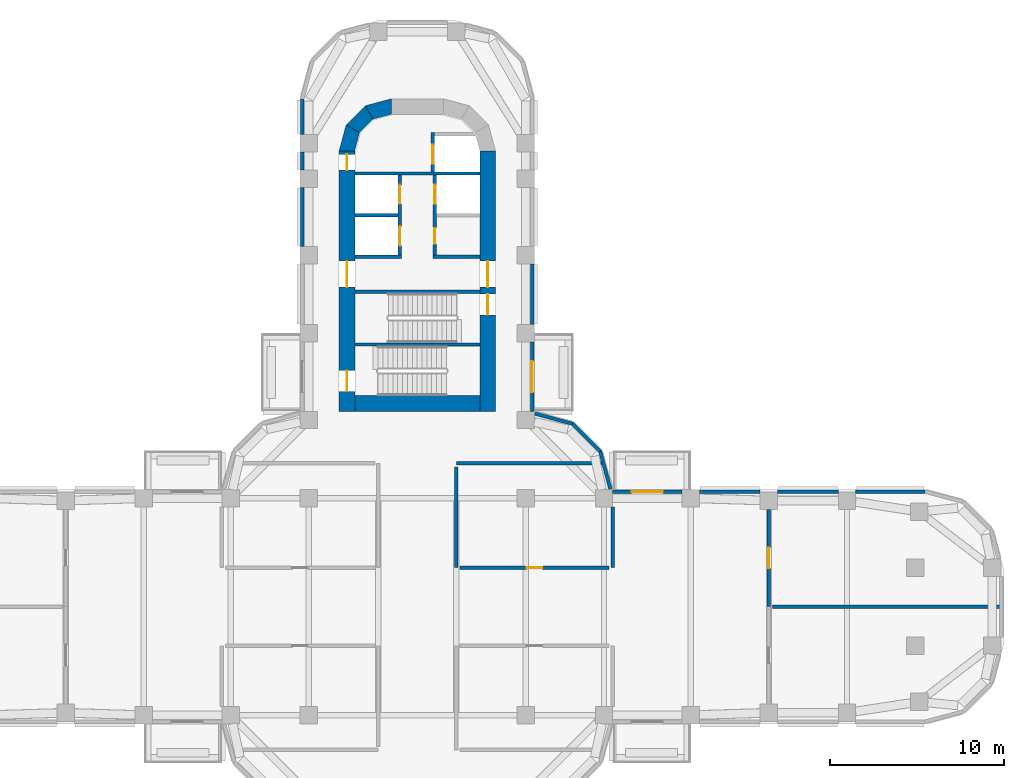
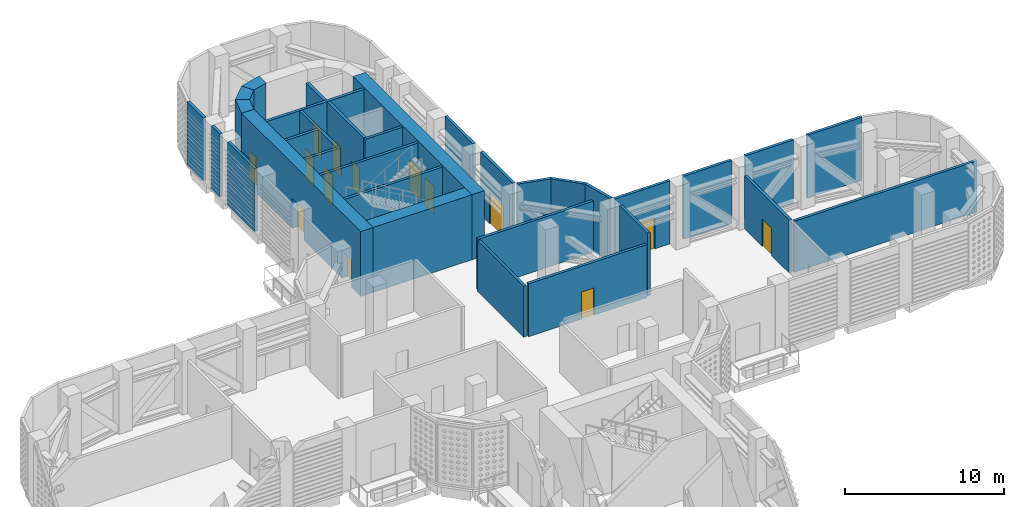
# One storey, part 7 of 20: 33 walls, 14 doors, 14 openings.
"""IFC4 building model written with IfcOpenShell, lengths in metres."""

from ifc_helpers import new_model, si_unit, direction, frame, frame_2d, origin, place, context, subcontext, project, spatial, polyline, rectangle, outline, extrude, material, layer, layer_set, type_object, element, fill, save


model = new_model("IFC4")

# Units and contexts
model_context = context("Model", 3, precision=1e-05, world=origin(), true_north=direction((0.0, 1.0)))
body_context = subcontext(model_context, "Body", "Model", "MODEL_VIEW")
ifc_project = project(units=[si_unit("LENGTHUNIT", "METRE"), si_unit("AREAUNIT", "SQUARE_METRE"), si_unit("VOLUMEUNIT", "CUBIC_METRE"), si_unit("PLANEANGLEUNIT", "RADIAN"), si_unit("MASSUNIT", "GRAM", prefix="KILO")], contexts=[model_context])

# Site, building, storey
site_placement = place(None, origin())
site = spatial("IfcSite", under=ifc_project, at=site_placement, CompositionType="ELEMENT")
building_placement = place(site_placement, origin())
building = spatial("IfcBuilding", under=site, at=building_placement, Name="Zarbagh Exchange Tower", CompositionType="ELEMENT")
storey_placement = place(building_placement, frame((0.0, 0.0, 81.60009765625)))
storey = spatial("IfcBuildingStorey", under=building, at=storey_placement, Name="L18", CompositionType="ELEMENT", Elevation=81.60009765625)

# Wall, opening, door
ifc_material_1 = material(Name="Concrete block partition", Category="concrete")
ifc_layer_1 = layer(ifc_material_1, 0.199951171875)
ifc_layer_set_1 = layer_set([ifc_layer_1], Name="Fire-rated block partition 200 EI 120")
wall_type_1 = type_object("IfcWallType", Name="Fire-rated block partition 200 EI 120", PredefinedType="PARTITIONING", material=ifc_layer_set_1)
wall_1_placement = place(storey_placement, frame((20.25, 0.0, 0.0), z_axis=(0.0, 0.0, 1.0), x_axis=(0.0, 1.0, 0.0)))
wall_1 = element("IfcWall", 1, at=wall_1_placement, inside=storey, type_object=wall_type_1, Name="WL-L18-W017", PredefinedType="PARTITIONING", context=body_context, shape_type="SweptSolid", body=[
    extrude(rectangle(XDim=5.610107421875, YDim=0.199951171875, at=frame_2d((2.80517578125, 0.0))), origin(), (0.0, 0.0, 1.0), 4.072998046875),
])
opening_1_placement = place(wall_1_placement, frame((2.205078125, 0.0, 0.0)))
opening_1 = element("IfcOpeningElement", 2, at=opening_1_placement, cuts=wall_1, Name="Opening D05", PredefinedType="OPENING", context=body_context, shape_type="SweptSolid", body=[
    extrude(rectangle(XDim=1.199951171875, YDim=2.10009765625, at=frame_2d((0.60009765625, 1.050048828125))), frame((0.0, 0.10986328125, 0.0), z_axis=(0.0, -1.0, 0.0), x_axis=(1.0, 0.0, 0.0)), (0.0, 0.0, 1.0), 0.219970703125),
])
ifc_material_2 = material(Name="Steel door set", Category="steel")
door_type_1 = type_object("IfcDoorType", Name="Door single 1200x2100 EI 120", OperationType="SINGLE_SWING_LEFT", PredefinedType="DOOR", material=ifc_material_2)
door_1_placement = place(opening_1_placement, origin())
door_1 = element("IfcDoor", 3, at=door_1_placement, inside=storey, type_object=door_type_1, Name="D05", OperationType="SINGLE_SWING_LEFT", OverallHeight=2.10009765625, OverallWidth=1.199951171875, PredefinedType="DOOR", context=body_context, shape_type="SweptSolid", body=[
    extrude(rectangle(XDim=1.199951171875, YDim=2.10009765625, at=frame_2d((0.60009765625, 1.050048828125))), frame((0.0, 0.02490234375, 0.0), z_axis=(0.0, -1.0, 0.0), x_axis=(1.0, 0.0, 0.0)), (0.0, 0.0, 1.0), 0.050048828125),
])
fill(opening_1, door_1)

# Walls
wall_2_placement = place(storey_placement, frame((33.75, 0.0, 0.0), z_axis=(0.0, 0.0, 1.0), x_axis=(-1.0, 0.0, 0.0)))
element("IfcWall", 4, at=wall_2_placement, inside=storey, type_object=wall_type_1, Name="WL-L18-W019", PredefinedType="PARTITIONING", context=body_context, shape_type="SweptSolid", body=[
    extrude(rectangle(XDim=13.300048828125, YDim=0.199951171875, at=frame_2d((6.64990234375, 0.0))), origin(), (0.0, 0.0, 1.0), 3.929931640625),
])
ifc_layer_2 = layer(ifc_material_1, 0.199951171875)
ifc_layer_set_2 = layer_set([ifc_layer_2], Name="Fire-rated block partition 200 EI 60")
wall_type_2 = type_object("IfcWallType", Name="Fire-rated block partition 200 EI 60", PredefinedType="PARTITIONING", material=ifc_layer_set_2)
wall_3_placement = place(storey_placement, frame((10.84814453125, 8.25, 0.0), z_axis=(0.0, 0.0, 1.0), x_axis=(-1.0, 0.0, 0.0)))
element("IfcWall", 5, at=wall_3_placement, inside=storey, type_object=wall_type_2, Name="WL-L18-W001", PredefinedType="PARTITIONING", context=body_context, shape_type="SweptSolid", body=[
    extrude(rectangle(XDim=8.59814453125, YDim=0.199951171875, at=frame_2d((4.299072265625, 0.0))), origin(), (0.0, 0.0, 1.0), 3.929931640625),
])
wall_4_placement = place(storey_placement, frame((2.25, 8.050048828125, 0.0), z_axis=(0.0, 0.0, 1.0), x_axis=(0.0, -1.0, 0.0)))
element("IfcWall", 6, at=wall_4_placement, inside=storey, type_object=wall_type_2, Name="WL-L18-W002", PredefinedType="PARTITIONING", context=body_context, shape_type="SweptSolid", body=[
    extrude(rectangle(XDim=5.800048828125, YDim=0.199951171875, at=frame_2d((2.89990234375, 0.0))), origin(), (0.0, 0.0, 1.0), 3.918212890625),
])
wall_5_placement = place(storey_placement, frame((11.25, 5.75, 0.0), z_axis=(0.0, 0.0, 1.0), x_axis=(0.0, -1.0, 0.0)))
element("IfcWall", 7, at=wall_5_placement, inside=storey, type_object=wall_type_2, Name="WL-L18-W009", PredefinedType="PARTITIONING", context=body_context, shape_type="SweptSolid", body=[
    extrude(rectangle(XDim=3.5, YDim=0.199951171875, at=frame_2d((1.75, 0.0))), origin(), (0.0, 0.0, 1.0), 4.849853515625),
])

# Wall, opening, door
wall_6_placement = place(storey_placement, frame((2.449951171875, 2.25, 0.0), z_axis=(0.0, 0.0, 1.0), x_axis=(1.0, 0.0, 0.0)))
wall_6 = element("IfcWall", 8, at=wall_6_placement, inside=storey, type_object=wall_type_2, Name="WL-L18-W010", PredefinedType="PARTITIONING", context=body_context, shape_type="SweptSolid", body=[
    extrude(rectangle(XDim=8.60009765625, YDim=0.199951171875, at=frame_2d((4.300048828125, 0.0))), origin(), (0.0, 0.0, 1.0), 4.072998046875),
])
opening_2_placement = place(wall_6_placement, frame((3.85009765625, 0.0, 0.0)))
opening_2 = element("IfcOpeningElement", 9, at=opening_2_placement, cuts=wall_6, Name="Opening D01", PredefinedType="OPENING", context=body_context, shape_type="SweptSolid", body=[
    extrude(rectangle(XDim=0.89990234375, YDim=2.10009765625, at=frame_2d((0.449951171875, 1.050048828125))), frame((0.0, 0.10986328125, 0.0), z_axis=(0.0, -1.0, 0.0), x_axis=(1.0, 0.0, 0.0)), (0.0, 0.0, 1.0), 0.219970703125),
])
door_type_2 = type_object("IfcDoorType", Name="Door single 900x2100 EI 60", OperationType="SINGLE_SWING_LEFT", PredefinedType="DOOR", material=ifc_material_2)
door_2_placement = place(opening_2_placement, origin())
door_2 = element("IfcDoor", 10, at=door_2_placement, inside=storey, type_object=door_type_2, Name="D01", OperationType="SINGLE_SWING_LEFT", OverallHeight=2.10009765625, OverallWidth=0.89990234375, PredefinedType="DOOR", context=body_context, shape_type="SweptSolid", body=[
    extrude(rectangle(XDim=0.89990234375, YDim=2.10009765625, at=frame_2d((0.449951171875, 1.050048828125))), frame((0.0, 0.02490234375, 0.0), z_axis=(0.0, -1.0, 0.0), x_axis=(1.0, 0.0, 0.0)), (0.0, 0.0, 1.0), 0.050048828125),
])
fill(opening_2, door_2)

# Walls
ifc_material_3 = material(Name="Precast concrete C50/60", Category="concrete")
ifc_layer_3 = layer(ifc_material_3, 0.199951171875)
ifc_layer_set_3 = layer_set([ifc_layer_3], Name="Plant wall, precast concrete C50/60")
wall_type_3 = type_object("IfcWallType", Name="Plant wall, precast concrete C50/60", PredefinedType="SOLIDWALL", material=ifc_layer_set_3)
wall_7_placement = place(storey_placement, origin())
element("IfcWall", 11, at=wall_7_placement, inside=storey, type_object=wall_type_3, Name="PW16 plant wall", PredefinedType="SOLIDWALL", context=body_context, shape_type="SweptSolid", body=[
    extrude(outline(polyline([(29.247314453125, 6.72998046875), (25.25, 6.72998046875), (25.25, 6.530029296875), (29.220947265625, 6.530029296875), (29.247314453125, 6.72998046875)])), origin(), (0.0, 0.0, 1.0), 4.849853515625),
])
wall_8_placement = place(storey_placement, origin())
element("IfcWall", 12, at=wall_8_placement, inside=storey, type_object=wall_type_3, Name="PW16 plant wall", PredefinedType="SOLIDWALL", context=body_context, shape_type="SweptSolid", body=[
    extrude(outline(polyline([(24.25, 6.72998046875), (20.75, 6.72998046875), (20.75, 6.530029296875), (24.25, 6.530029296875), (24.25, 6.72998046875)])), origin(), (0.0, 0.0, 1.0), 4.849853515625),
])
wall_9_placement = place(storey_placement, origin())
element("IfcWall", 13, at=wall_9_placement, inside=storey, type_object=wall_type_3, Name="PW16 plant wall", PredefinedType="SOLIDWALL", context=body_context, shape_type="SweptSolid", body=[
    extrude(outline(polyline([(19.75, 6.72998046875), (16.25, 6.72998046875), (16.25, 6.530029296875), (19.75, 6.530029296875), (19.75, 6.72998046875)])), origin(), (0.0, 0.0, 1.0), 4.849853515625),
])
wall_10_placement = place(storey_placement, origin())
element("IfcWall", 14, at=wall_10_placement, inside=storey, type_object=wall_type_3, Name="PW17 plant wall", PredefinedType="SOLIDWALL", context=body_context, shape_type="SweptSolid", body=[
    extrude(outline(polyline([(11.21533203125, 6.80224609375), (10.629150390625, 8.98974609375), (10.449951171875, 8.88623046875), (11.02197265625, 6.75048828125), (11.21533203125, 6.80224609375)])), origin(), (0.0, 0.0, 1.0), 4.849853515625),
])
wall_11_placement = place(storey_placement, origin())
element("IfcWall", 15, at=wall_11_placement, inside=storey, type_object=wall_type_3, Name="PW18 plant wall", PredefinedType="SOLIDWALL", context=body_context, shape_type="SweptSolid", body=[
    extrude(outline(polyline([(10.629150390625, 8.98974609375), (8.98974609375, 10.629150390625), (8.88623046875, 10.449951171875), (10.449951171875, 8.88623046875), (10.629150390625, 8.98974609375)])), origin(), (0.0, 0.0, 1.0), 4.849853515625),
])
wall_12_placement = place(storey_placement, origin())
element("IfcWall", 16, at=wall_12_placement, inside=storey, type_object=wall_type_3, Name="PW19 plant wall", PredefinedType="SOLIDWALL", context=body_context, shape_type="SweptSolid", body=[
    extrude(outline(polyline([(8.98974609375, 10.629150390625), (6.80224609375, 11.21533203125), (6.75048828125, 11.02197265625), (8.88623046875, 10.449951171875), (8.98974609375, 10.629150390625)])), origin(), (0.0, 0.0, 1.0), 4.849853515625),
])
wall_13_placement = place(storey_placement, origin())
element("IfcWall", 17, at=wall_13_placement, inside=storey, type_object=wall_type_3, Name="PW20 plant wall", PredefinedType="SOLIDWALL", context=body_context, shape_type="SweptSolid", body=[
    extrude(outline(polyline([(6.72998046875, 16.25), (6.72998046875, 19.75), (6.530029296875, 19.75), (6.530029296875, 16.25), (6.72998046875, 16.25)])), origin(), (0.0, 0.0, 1.0), 4.849853515625),
])
wall_14_placement = place(storey_placement, origin())
element("IfcWall", 18, at=wall_14_placement, inside=storey, type_object=wall_type_3, Name="PW28 plant wall", PredefinedType="SOLIDWALL", context=body_context, shape_type="SweptSolid", body=[
    extrude(outline(polyline([(-6.72998046875, 29.247314453125), (-6.72998046875, 27.199951171875), (-6.530029296875, 27.199951171875), (-6.530029296875, 29.220947265625), (-6.72998046875, 29.247314453125)])), origin(), (0.0, 0.0, 1.0), 4.849853515625),
])
wall_15_placement = place(storey_placement, origin())
element("IfcWall", 19, at=wall_15_placement, inside=storey, type_object=wall_type_3, Name="PW28 plant wall", PredefinedType="SOLIDWALL", context=body_context, shape_type="SweptSolid", body=[
    extrude(outline(polyline([(-6.72998046875, 26.199951171875), (-6.72998046875, 25.14990234375), (-6.530029296875, 25.14990234375), (-6.530029296875, 26.199951171875), (-6.72998046875, 26.199951171875)])), origin(), (0.0, 0.0, 1.0), 4.849853515625),
])
wall_16_placement = place(storey_placement, origin())
element("IfcWall", 20, at=wall_16_placement, inside=storey, type_object=wall_type_3, Name="PW28 plant wall", PredefinedType="SOLIDWALL", context=body_context, shape_type="SweptSolid", body=[
    extrude(outline(polyline([(-6.72998046875, 24.14990234375), (-6.72998046875, 20.75), (-6.530029296875, 20.75), (-6.530029296875, 24.14990234375), (-6.72998046875, 24.14990234375)])), origin(), (0.0, 0.0, 1.0), 4.849853515625),
])
ifc_material_4 = material(Name="Concrete C60/75", Category="concrete")
ifc_layer_4 = layer(ifc_material_4, 0.89990234375)
ifc_layer_set_4 = layer_set([ifc_layer_4], Name="RC core corner wall 900 C60/75")
wall_type_4 = type_object("IfcWallType", Name="RC core corner wall 900 C60/75", PredefinedType="SHEAR", material=ifc_layer_set_4)
wall_17_placement = place(storey_placement, origin())
element("IfcWall", 21, at=wall_17_placement, inside=storey, type_object=wall_type_4, Name="CW2 core N corner W", PredefinedType="SHEAR", context=body_context, shape_type="SweptSolid", body=[
    extrude(outline(polyline([(-4.5, 26.25), (-4.09814453125, 27.75), (-3.318603515625, 27.300048828125), (-3.60009765625, 26.25), (-4.5, 26.25)])), origin(), (0.0, 0.0, 1.0), 5.0),
])
wall_18_placement = place(storey_placement, origin())
element("IfcWall", 22, at=wall_18_placement, inside=storey, type_object=wall_type_4, Name="CW2 core N corner W", PredefinedType="SHEAR", context=body_context, shape_type="SweptSolid", body=[
    extrude(outline(polyline([(-4.09814453125, 27.75), (-3.0, 28.84814453125), (-2.550048828125, 28.068603515625), (-3.318603515625, 27.300048828125), (-4.09814453125, 27.75)])), origin(), (0.0, 0.0, 1.0), 5.0),
])
wall_19_placement = place(storey_placement, origin())
element("IfcWall", 23, at=wall_19_placement, inside=storey, type_object=wall_type_4, Name="CW2 core N corner W", PredefinedType="SHEAR", context=body_context, shape_type="SweptSolid", body=[
    extrude(outline(polyline([(-3.0, 28.84814453125), (-1.5, 29.25), (-1.5, 28.35009765625), (-2.550048828125, 28.068603515625), (-3.0, 28.84814453125)])), origin(), (0.0, 0.0, 1.0), 5.0),
])

# Wall, openings, doors
ifc_layer_5 = layer(ifc_material_4, 0.89990234375)
ifc_layer_set_5 = layer_set([ifc_layer_5], Name="RC core wall 900 C60/75")
wall_type_5 = type_object("IfcWallType", Name="RC core wall 900 C60/75", PredefinedType="SHEAR", material=ifc_layer_set_5)
wall_20_placement = place(storey_placement, frame((-4.050048828125, 11.25, 0.0), z_axis=(0.0, 0.0, 1.0), x_axis=(0.0, 1.0, 0.0)))
wall_20 = element("IfcWall", 24, at=wall_20_placement, inside=storey, type_object=wall_type_5, Name="CW1 core N W", PredefinedType="SHEAR", context=body_context, shape_type="SweptSolid", body=[
    extrude(rectangle(XDim=15.0, YDim=0.89990234375, at=frame_2d((7.5, 0.0))), origin(), (0.0, 0.0, 1.0), 5.0),
])
opening_3_placement = place(wall_20_placement, frame((7.14990234375, 0.0, 0.0)))
opening_3 = element("IfcOpeningElement", 25, at=opening_3_placement, cuts=wall_20, Name="Opening CD1-1500", PredefinedType="OPENING", context=body_context, shape_type="SweptSolid", body=[
    extrude(rectangle(XDim=1.5, YDim=2.300048828125, at=frame_2d((0.75, 1.14990234375))), frame((0.0, 0.4599609375, 0.0), z_axis=(0.0, -1.0, 0.0), x_axis=(1.0, 0.0, 0.0)), (0.0, 0.0, 1.0), 0.919921875),
])
opening_4_placement = place(wall_20_placement, frame((13.89990234375, 0.0, 0.0)))
opening_4 = element("IfcOpeningElement", 26, at=opening_4_placement, cuts=wall_20, Name="Opening CD2-900", PredefinedType="OPENING", context=body_context, shape_type="SweptSolid", body=[
    extrude(rectangle(XDim=0.89990234375, YDim=2.10009765625, at=frame_2d((0.449951171875, 1.050048828125))), frame((0.0, 0.4599609375, 0.0), z_axis=(0.0, -1.0, 0.0), x_axis=(1.0, 0.0, 0.0)), (0.0, 0.0, 1.0), 0.919921875),
])
opening_5_placement = place(wall_20_placement, frame((1.14990234375, 0.0, 0.0)))
opening_5 = element("IfcOpeningElement", 27, at=opening_5_placement, cuts=wall_20, Name="Opening SD1-1200", PredefinedType="OPENING", context=body_context, shape_type="SweptSolid", body=[
    extrude(rectangle(XDim=1.199951171875, YDim=2.10009765625, at=frame_2d((0.60009765625, 1.050048828125))), frame((0.0, 0.4599609375, 0.0), z_axis=(0.0, -1.0, 0.0), x_axis=(1.0, 0.0, 0.0)), (0.0, 0.0, 1.0), 0.919921875),
])
ifc_material_5 = material(Name="Steel", Category="steel")
door_type_3 = type_object("IfcDoorType", Name="Exit stair door 1200 x 2100", OperationType="NOTDEFINED", PredefinedType="DOOR", material=ifc_material_5)
door_3_placement = place(opening_5_placement, origin())
door_3 = element("IfcDoor", 28, at=door_3_placement, inside=storey, type_object=door_type_3, Name="North core stair door ST2", OperationType="SINGLE_SWING_RIGHT", OverallHeight=2.10009765625, OverallWidth=1.199951171875, PredefinedType="DOOR", context=body_context, shape_type="SweptSolid", body=[
    extrude(rectangle(XDim=1.199951171875, YDim=2.10009765625, at=frame_2d((0.60009765625, 1.050048828125))), frame((0.0, 0.02490234375, 0.0), z_axis=(0.0, -1.0, 0.0), x_axis=(1.0, 0.0, 0.0)), (0.0, 0.0, 1.0), 0.050048828125),
])
fill(opening_5, door_3)
door_type_4 = type_object("IfcDoorType", Name="Firefighting lobby door 900 x 2100", OperationType="NOTDEFINED", PredefinedType="DOOR", material=ifc_material_5)
door_4_placement = place(opening_4_placement, origin())
door_4 = element("IfcDoor", 29, at=door_4_placement, inside=storey, type_object=door_type_4, Name="North core firefighting lobby door FF-W", OperationType="SINGLE_SWING_LEFT", OverallHeight=2.10009765625, OverallWidth=0.89990234375, PredefinedType="DOOR", context=body_context, shape_type="SweptSolid", body=[
    extrude(rectangle(XDim=0.89990234375, YDim=2.10009765625, at=frame_2d((0.449951171875, 1.050048828125))), frame((0.0, 0.02490234375, 0.0), z_axis=(0.0, -1.0, 0.0), x_axis=(1.0, 0.0, 0.0)), (0.0, 0.0, 1.0), 0.050048828125),
])
fill(opening_4, door_4)
door_type_5 = type_object("IfcDoorType", Name="Lift lobby double door 1500 x 2300", OperationType="NOTDEFINED", PredefinedType="DOOR", material=ifc_material_5)
door_5_placement = place(opening_3_placement, origin())
door_5 = element("IfcDoor", 30, at=door_5_placement, inside=storey, type_object=door_type_5, Name="North core lift lobby door LOBBY-W", OperationType="DOUBLE_DOOR_SINGLE_SWING", OverallHeight=2.300048828125, OverallWidth=1.5, PredefinedType="DOOR", context=body_context, shape_type="SweptSolid", body=[
    extrude(rectangle(XDim=1.5, YDim=2.300048828125, at=frame_2d((0.75, 1.14990234375))), frame((0.0, 0.02490234375, 0.0), z_axis=(0.0, -1.0, 0.0), x_axis=(1.0, 0.0, 0.0)), (0.0, 0.0, 1.0), 0.050048828125),
])
fill(opening_3, door_5)

wall_21_placement = place(storey_placement, frame((4.050048828125, 11.25, 0.0), z_axis=(0.0, 0.0, 1.0), x_axis=(0.0, 1.0, 0.0)))
wall_21 = element("IfcWall", 31, at=wall_21_placement, inside=storey, type_object=wall_type_5, Name="CW1 core N E", PredefinedType="SHEAR", context=body_context, shape_type="SweptSolid", body=[
    extrude(rectangle(XDim=15.0, YDim=0.89990234375, at=frame_2d((7.5, 0.0))), origin(), (0.0, 0.0, 1.0), 5.0),
])
opening_6_placement = place(wall_21_placement, frame((7.14990234375, 0.0, 0.0)))
opening_6 = element("IfcOpeningElement", 32, at=opening_6_placement, cuts=wall_21, Name="Opening CD1-1500", PredefinedType="OPENING", context=body_context, shape_type="SweptSolid", body=[
    extrude(rectangle(XDim=1.5, YDim=2.300048828125, at=frame_2d((0.75, 1.14990234375))), frame((0.0, 0.4599609375, 0.0), z_axis=(0.0, -1.0, 0.0), x_axis=(1.0, 0.0, 0.0)), (0.0, 0.0, 1.0), 0.919921875),
])
opening_7_placement = place(wall_21_placement, frame((5.550048828125, 0.0, 0.0)))
opening_7 = element("IfcOpeningElement", 33, at=opening_7_placement, cuts=wall_21, Name="Opening SD1-1200", PredefinedType="OPENING", context=body_context, shape_type="SweptSolid", body=[
    extrude(rectangle(XDim=1.199951171875, YDim=2.10009765625, at=frame_2d((0.60009765625, 1.050048828125))), frame((0.0, 0.4599609375, 0.0), z_axis=(0.0, -1.0, 0.0), x_axis=(1.0, 0.0, 0.0)), (0.0, 0.0, 1.0), 0.919921875),
])
door_6_placement = place(opening_7_placement, origin())
door_6 = element("IfcDoor", 34, at=door_6_placement, inside=storey, type_object=door_type_3, Name="North core stair door ST1", OperationType="SINGLE_SWING_LEFT", OverallHeight=2.10009765625, OverallWidth=1.199951171875, PredefinedType="DOOR", context=body_context, shape_type="SweptSolid", body=[
    extrude(rectangle(XDim=1.199951171875, YDim=2.10009765625, at=frame_2d((0.60009765625, 1.050048828125))), frame((0.0, 0.02490234375, 0.0), z_axis=(0.0, -1.0, 0.0), x_axis=(1.0, 0.0, 0.0)), (0.0, 0.0, 1.0), 0.050048828125),
])
fill(opening_7, door_6)
door_7_placement = place(opening_6_placement, origin())
door_7 = element("IfcDoor", 35, at=door_7_placement, inside=storey, type_object=door_type_5, Name="North core lift lobby door LOBBY-E", OperationType="DOUBLE_DOOR_SINGLE_SWING", OverallHeight=2.300048828125, OverallWidth=1.5, PredefinedType="DOOR", context=body_context, shape_type="SweptSolid", body=[
    extrude(rectangle(XDim=1.5, YDim=2.300048828125, at=frame_2d((0.75, 1.14990234375))), frame((0.0, 0.02490234375, 0.0), z_axis=(0.0, -1.0, 0.0), x_axis=(1.0, 0.0, 0.0)), (0.0, 0.0, 1.0), 0.050048828125),
])
fill(opening_6, door_7)

# Walls
wall_22_placement = place(storey_placement, frame((-3.60009765625, 11.699951171875, 0.0), z_axis=(0.0, 0.0, 1.0), x_axis=(1.0, 0.0, 0.0)))
element("IfcWall", 36, at=wall_22_placement, inside=storey, type_object=wall_type_5, Name="CW1 core N inner end", PredefinedType="SHEAR", context=body_context, shape_type="SweptSolid", body=[
    extrude(rectangle(XDim=7.2001953125, YDim=0.89990234375, at=frame_2d((3.60009765625, 0.0))), origin(), (0.0, 0.0, 1.0), 5.0),
])
ifc_material_6 = material(Name="Dense blockwork", Category="masonry")
ifc_layer_6 = layer(ifc_material_6, 0.199951171875)
ifc_layer_set_6 = layer_set([ifc_layer_6], Name="Shaft wall 200 mm blockwork")
wall_type_6 = type_object("IfcWallType", Name="Shaft wall 200 mm blockwork", PredefinedType="PARTITIONING", material=ifc_layer_set_6)
wall_23_placement = place(storey_placement, frame((-3.60009765625, 20.14990234375, 0.0), z_axis=(0.0, 0.0, 1.0), x_axis=(1.0, 0.0, 0.0)))
element("IfcWall", 37, at=wall_23_placement, inside=storey, type_object=wall_type_6, Name="North core shaft wall AB-W", PredefinedType="PARTITIONING", context=body_context, shape_type="SweptSolid", body=[
    extrude(rectangle(XDim=2.7001953125, YDim=0.199951171875, at=frame_2d((1.35009765625, 0.0))), origin(), (0.0, 0.0, 1.0), 4.849853515625),
])

# Wall, openings, doors
wall_24_placement = place(storey_placement, frame((-1.0, 24.85009765625, 0.0), z_axis=(0.0, 0.0, 1.0), x_axis=(0.0, -1.0, 0.0)))
wall_24 = element("IfcWall", 38, at=wall_24_placement, inside=storey, type_object=wall_type_6, Name="North core shaft wall LW-W", PredefinedType="PARTITIONING", context=body_context, shape_type="SweptSolid", body=[
    extrude(rectangle(XDim=4.60009765625, YDim=0.199951171875, at=frame_2d((2.300048828125, 0.0))), origin(), (0.0, 0.0, 1.0), 4.849853515625),
])
opening_8_placement = place(wall_24_placement, frame((0.550048828125, 0.0, 0.0)))
opening_8 = element("IfcOpeningElement", 39, at=opening_8_placement, cuts=wall_24, Name="Opening LD-1100", PredefinedType="OPENING", context=body_context, shape_type="SweptSolid", body=[
    extrude(rectangle(XDim=1.10009765625, YDim=2.300048828125, at=frame_2d((0.550048828125, 1.14990234375))), frame((0.0, 0.10986328125, 0.0), z_axis=(0.0, -1.0, 0.0), x_axis=(1.0, 0.0, 0.0)), (0.0, 0.0, 1.0), 0.219970703125),
])
opening_9_placement = place(wall_24_placement, frame((2.949951171875, 0.0, 0.0)))
opening_9 = element("IfcOpeningElement", 40, at=opening_9_placement, cuts=wall_24, Name="Opening LD-1100", PredefinedType="OPENING", context=body_context, shape_type="SweptSolid", body=[
    extrude(rectangle(XDim=1.10009765625, YDim=2.300048828125, at=frame_2d((0.550048828125, 1.14990234375))), frame((0.0, 0.10986328125, 0.0), z_axis=(0.0, -1.0, 0.0), x_axis=(1.0, 0.0, 0.0)), (0.0, 0.0, 1.0), 0.219970703125),
])
ifc_material_7 = material(Name="Stainless steel", Category="steel")
door_type_6 = type_object("IfcDoorType", Name="Lift landing door 1100 x 2300", OperationType="NOTDEFINED", PredefinedType="DOOR", material=ifc_material_7)
door_8_placement = place(opening_8_placement, origin())
door_8 = element("IfcDoor", 41, at=door_8_placement, inside=storey, type_object=door_type_6, Name="North core lift landing door LD-P-N1", OperationType="DOUBLE_DOOR_SLIDING", OverallHeight=2.300048828125, OverallWidth=1.10009765625, PredefinedType="DOOR", context=body_context, shape_type="SweptSolid", body=[
    extrude(rectangle(XDim=1.10009765625, YDim=2.300048828125, at=frame_2d((0.550048828125, 1.14990234375))), frame((0.0, 0.02490234375, 0.0), z_axis=(0.0, -1.0, 0.0), x_axis=(1.0, 0.0, 0.0)), (0.0, 0.0, 1.0), 0.050048828125),
])
fill(opening_8, door_8)
door_9_placement = place(opening_9_placement, origin())
door_9 = element("IfcDoor", 42, at=door_9_placement, inside=storey, type_object=door_type_6, Name="North core lift landing door LD-P-N2", OperationType="DOUBLE_DOOR_SLIDING", OverallHeight=2.300048828125, OverallWidth=1.10009765625, PredefinedType="DOOR", context=body_context, shape_type="SweptSolid", body=[
    extrude(rectangle(XDim=1.10009765625, YDim=2.300048828125, at=frame_2d((0.550048828125, 1.14990234375))), frame((0.0, 0.02490234375, 0.0), z_axis=(0.0, -1.0, 0.0), x_axis=(1.0, 0.0, 0.0)), (0.0, 0.0, 1.0), 0.050048828125),
])
fill(opening_9, door_9)

# Wall
wall_25_placement = place(storey_placement, frame((0.89990234375, 20.14990234375, 0.0), z_axis=(0.0, 0.0, 1.0), x_axis=(1.0, 0.0, 0.0)))
element("IfcWall", 43, at=wall_25_placement, inside=storey, type_object=wall_type_6, Name="North core shaft wall AB-E", PredefinedType="PARTITIONING", context=body_context, shape_type="SweptSolid", body=[
    extrude(rectangle(XDim=2.7001953125, YDim=0.199951171875, at=frame_2d((1.35009765625, 0.0))), origin(), (0.0, 0.0, 1.0), 4.849853515625),
])

# Wall, openings, doors
wall_26_placement = place(storey_placement, frame((1.0, 24.85009765625, 0.0), z_axis=(0.0, 0.0, 1.0), x_axis=(0.0, -1.0, 0.0)))
wall_26 = element("IfcWall", 44, at=wall_26_placement, inside=storey, type_object=wall_type_6, Name="North core shaft wall LW-E", PredefinedType="PARTITIONING", context=body_context, shape_type="SweptSolid", body=[
    extrude(rectangle(XDim=4.60009765625, YDim=0.199951171875, at=frame_2d((2.300048828125, 0.0))), origin(), (0.0, 0.0, 1.0), 4.849853515625),
])
opening_10_placement = place(wall_26_placement, frame((0.550048828125, 0.0, 0.0)))
opening_10 = element("IfcOpeningElement", 45, at=opening_10_placement, cuts=wall_26, Name="Opening LD-1100", PredefinedType="OPENING", context=body_context, shape_type="SweptSolid", body=[
    extrude(rectangle(XDim=1.10009765625, YDim=2.300048828125, at=frame_2d((0.550048828125, 1.14990234375))), frame((0.0, 0.10986328125, 0.0), z_axis=(0.0, -1.0, 0.0), x_axis=(1.0, 0.0, 0.0)), (0.0, 0.0, 1.0), 0.219970703125),
])
opening_11_placement = place(wall_26_placement, frame((3.050048828125, 0.0, 0.0)))
opening_11 = element("IfcOpeningElement", 46, at=opening_11_placement, cuts=wall_26, Name="Opening CD3-900", PredefinedType="OPENING", context=body_context, shape_type="SweptSolid", body=[
    extrude(rectangle(XDim=0.89990234375, YDim=2.10009765625, at=frame_2d((0.449951171875, 1.050048828125))), frame((0.0, 0.10986328125, 0.0), z_axis=(0.0, -1.0, 0.0), x_axis=(1.0, 0.0, 0.0)), (0.0, 0.0, 1.0), 0.219970703125),
])
door_type_7 = type_object("IfcDoorType", Name="Core room door 900 x 2100", OperationType="NOTDEFINED", PredefinedType="DOOR", material=ifc_material_5)
door_10_placement = place(opening_11_placement, origin())
door_10 = element("IfcDoor", 47, at=door_10_placement, inside=storey, type_object=door_type_7, Name="North core Switch room door RD-E-0", OperationType="SINGLE_SWING_RIGHT", OverallHeight=2.10009765625, OverallWidth=0.89990234375, PredefinedType="DOOR", context=body_context, shape_type="SweptSolid", body=[
    extrude(rectangle(XDim=0.89990234375, YDim=2.10009765625, at=frame_2d((0.449951171875, 1.050048828125))), frame((0.0, 0.02490234375, 0.0), z_axis=(0.0, -1.0, 0.0), x_axis=(1.0, 0.0, 0.0)), (0.0, 0.0, 1.0), 0.050048828125),
])
fill(opening_11, door_10)
door_11_placement = place(opening_10_placement, origin())
door_11 = element("IfcDoor", 48, at=door_11_placement, inside=storey, type_object=door_type_6, Name="North core lift landing door LD-P-N3", OperationType="DOUBLE_DOOR_SLIDING", OverallHeight=2.300048828125, OverallWidth=1.10009765625, PredefinedType="DOOR", context=body_context, shape_type="SweptSolid", body=[
    extrude(rectangle(XDim=1.10009765625, YDim=2.300048828125, at=frame_2d((0.550048828125, 1.14990234375))), frame((0.0, 0.02490234375, 0.0), z_axis=(0.0, -1.0, 0.0), x_axis=(1.0, 0.0, 0.0)), (0.0, 0.0, 1.0), 0.050048828125),
])
fill(opening_10, door_11)

# Walls
wall_27_placement = place(storey_placement, frame((-3.60009765625, 22.550048828125, 0.0), z_axis=(0.0, 0.0, 1.0), x_axis=(1.0, 0.0, 0.0)))
element("IfcWall", 49, at=wall_27_placement, inside=storey, type_object=wall_type_6, Name="North core shaft wall TR-W", PredefinedType="PARTITIONING", context=body_context, shape_type="SweptSolid", body=[
    extrude(rectangle(XDim=2.5, YDim=0.199951171875, at=frame_2d((1.25, 0.0))), origin(), (0.0, 0.0, 1.0), 4.849853515625),
])
ifc_material_8 = material(Name="Concrete C40/50", Category="concrete")
ifc_layer_7 = layer(ifc_material_8, 0.199951171875)
ifc_layer_set_7 = layer_set([ifc_layer_7], Name="Stair enclosure wall 200 mm RC C40/50")
wall_type_7 = type_object("IfcWallType", Name="Stair enclosure wall 200 mm RC C40/50", PredefinedType="SHEAR", material=ifc_layer_set_7)
wall_28_placement = place(storey_placement, frame((-3.60009765625, 24.949951171875, 0.0), z_axis=(0.0, 0.0, 1.0), x_axis=(1.0, 0.0, 0.0)))
element("IfcWall", 50, at=wall_28_placement, inside=storey, type_object=wall_type_7, Name="North core lift shaft wall FFA", PredefinedType="SHEAR", context=body_context, shape_type="SweptSolid", body=[
    extrude(rectangle(XDim=7.2001953125, YDim=0.199951171875, at=frame_2d((3.60009765625, 0.0))), origin(), (0.0, 0.0, 1.0), 4.849853515625),
])

# Wall, opening, door
wall_29_placement = place(storey_placement, frame((0.89990234375, 27.300048828125, 0.0), z_axis=(0.0, 0.0, 1.0), x_axis=(0.0, -1.0, 0.0)))
wall_29 = element("IfcWall", 51, at=wall_29_placement, inside=storey, type_object=wall_type_7, Name="North core lift shaft wall FFL", PredefinedType="SHEAR", context=body_context, shape_type="SweptSolid", body=[
    extrude(rectangle(XDim=2.25, YDim=0.199951171875, at=frame_2d((1.125, 0.0))), origin(), (0.0, 0.0, 1.0), 4.849853515625),
])
opening_12_placement = place(wall_29_placement, frame((0.699951171875, 0.0, 0.0)))
opening_12 = element("IfcOpeningElement", 52, at=opening_12_placement, cuts=wall_29, Name="Opening LD-1100", PredefinedType="OPENING", context=body_context, shape_type="SweptSolid", body=[
    extrude(rectangle(XDim=1.10009765625, YDim=2.300048828125, at=frame_2d((0.550048828125, 1.14990234375))), frame((0.0, 0.10986328125, 0.0), z_axis=(0.0, -1.0, 0.0), x_axis=(1.0, 0.0, 0.0)), (0.0, 0.0, 1.0), 0.219970703125),
])
door_12_placement = place(opening_12_placement, origin())
door_12 = element("IfcDoor", 53, at=door_12_placement, inside=storey, type_object=door_type_6, Name="North core lift landing door LD-F", OperationType="DOUBLE_DOOR_SLIDING", OverallHeight=2.300048828125, OverallWidth=1.10009765625, PredefinedType="DOOR", context=body_context, shape_type="SweptSolid", body=[
    extrude(rectangle(XDim=1.10009765625, YDim=2.300048828125, at=frame_2d((0.550048828125, 1.14990234375))), frame((0.0, 0.02490234375, 0.0), z_axis=(0.0, -1.0, 0.0), x_axis=(1.0, 0.0, 0.0)), (0.0, 0.0, 1.0), 0.050048828125),
])
fill(opening_12, door_12)

# Walls
for number, where, z_axis, x_axis, name in (
    (54, (-3.60009765625, 18.14990234375, 0.0), (0.0, 0.0, 1.0), (1.0, 0.0, 0.0), "North core stair wall BS"),
    (55, (-3.60009765625, 15.10009765625, 0.0), (0.0, 0.0, 1.0), (1.0, 0.0, 0.0), "North core stair wall ST12"),
):
    element("IfcWall", number, at=place(storey_placement, frame(where, z_axis=z_axis, x_axis=x_axis)), inside=storey, type_object=wall_type_7, Name=name, PredefinedType="SHEAR", context=body_context, shape_type="SweptSolid", body=[
        extrude(rectangle(XDim=7.2001953125, YDim=0.199951171875, at=frame_2d((3.60009765625, 0.0))), origin(), (0.0, 0.0, 1.0), 4.849853515625),
    ])

# Wall, opening, door
ifc_layer_8 = layer(ifc_material_3, 0.199951171875)
ifc_layer_set_8 = layer_set([ifc_layer_8], Name="Terrace door wall, precast concrete C50/60")
wall_type_8 = type_object("IfcWallType", Name="Terrace door wall, precast concrete C50/60", PredefinedType="SOLIDWALL", material=ifc_layer_set_8)
wall_30_placement = place(storey_placement, frame((15.25, 6.6298828125, 0.0), z_axis=(0.0, 0.0, 1.0), x_axis=(-1.0, 0.0, 0.0)))
wall_30 = element("IfcWall", 56, at=wall_30_placement, inside=storey, type_object=wall_type_8, Name="TW36 door wall", PredefinedType="SOLIDWALL", context=body_context, shape_type="SweptSolid", body=[
    extrude(rectangle(XDim=4.0, YDim=0.199951171875, at=frame_2d((2.0, 0.0))), origin(), (0.0, 0.0, 1.0), 4.849853515625),
])
opening_13_placement = place(wall_30_placement, frame((1.10009765625, 0.0, 0.0)))
opening_13 = element("IfcOpeningElement", 57, at=opening_13_placement, cuts=wall_30, Name="Opening TD02", PredefinedType="OPENING", context=body_context, shape_type="SweptSolid", body=[
    extrude(rectangle(XDim=1.800048828125, YDim=2.39990234375, at=frame_2d((0.89990234375, 1.199951171875))), frame((0.0, 0.10986328125, 0.0), z_axis=(0.0, -1.0, 0.0), x_axis=(1.0, 0.0, 0.0)), (0.0, 0.0, 1.0), 0.219970703125),
])
ifc_material_9 = material(Name="Anodised aluminium and glass", Category="aluminium")
door_type_8 = type_object("IfcDoorType", Name="Terrace door, double leaf, aluminium and glass", OperationType="DOUBLE_DOOR_DOUBLE_SWING", PredefinedType="DOOR", material=ifc_material_9)
door_13_placement = place(opening_13_placement, origin())
door_13 = element("IfcDoor", 58, at=door_13_placement, inside=storey, type_object=door_type_8, Name="TD02 terrace door", OperationType="SINGLE_SWING_LEFT", OverallHeight=2.39990234375, OverallWidth=1.800048828125, PredefinedType="DOOR", context=body_context, shape_type="SweptSolid", body=[
    extrude(rectangle(XDim=1.800048828125, YDim=2.39990234375, at=frame_2d((0.89990234375, 1.199951171875))), frame((0.0, 0.02490234375, 0.0), z_axis=(0.0, -1.0, 0.0), x_axis=(1.0, 0.0, 0.0)), (0.0, 0.0, 1.0), 0.050048828125),
])
fill(opening_13, door_13)

wall_31_placement = place(storey_placement, frame((6.6298828125, 11.25, 0.0), z_axis=(0.0, 0.0, 1.0), x_axis=(0.0, 1.0, 0.0)))
wall_31 = element("IfcWall", 59, at=wall_31_placement, inside=storey, type_object=wall_type_8, Name="TW37 door wall", PredefinedType="SOLIDWALL", context=body_context, shape_type="SweptSolid", body=[
    extrude(rectangle(XDim=4.0, YDim=0.199951171875, at=frame_2d((2.0, 0.0))), origin(), (0.0, 0.0, 1.0), 4.849853515625),
])
opening_14_placement = place(wall_31_placement, frame((1.10009765625, 0.0, 0.0)))
opening_14 = element("IfcOpeningElement", 60, at=opening_14_placement, cuts=wall_31, Name="Opening TD02", PredefinedType="OPENING", context=body_context, shape_type="SweptSolid", body=[
    extrude(rectangle(XDim=1.800048828125, YDim=2.39990234375, at=frame_2d((0.89990234375, 1.199951171875))), frame((0.0, 0.10986328125, 0.0), z_axis=(0.0, -1.0, 0.0), x_axis=(1.0, 0.0, 0.0)), (0.0, 0.0, 1.0), 0.219970703125),
])
door_14_placement = place(opening_14_placement, origin())
door_14 = element("IfcDoor", 61, at=door_14_placement, inside=storey, type_object=door_type_8, Name="TD02 terrace door", OperationType="SINGLE_SWING_LEFT", OverallHeight=2.39990234375, OverallWidth=1.800048828125, PredefinedType="DOOR", context=body_context, shape_type="SweptSolid", body=[
    extrude(rectangle(XDim=1.800048828125, YDim=2.39990234375, at=frame_2d((0.89990234375, 1.199951171875))), frame((0.0, 0.02490234375, 0.0), z_axis=(0.0, -1.0, 0.0), x_axis=(1.0, 0.0, 0.0)), (0.0, 0.0, 1.0), 0.050048828125),
])
fill(opening_14, door_14)

save(model, "model.ifc")
